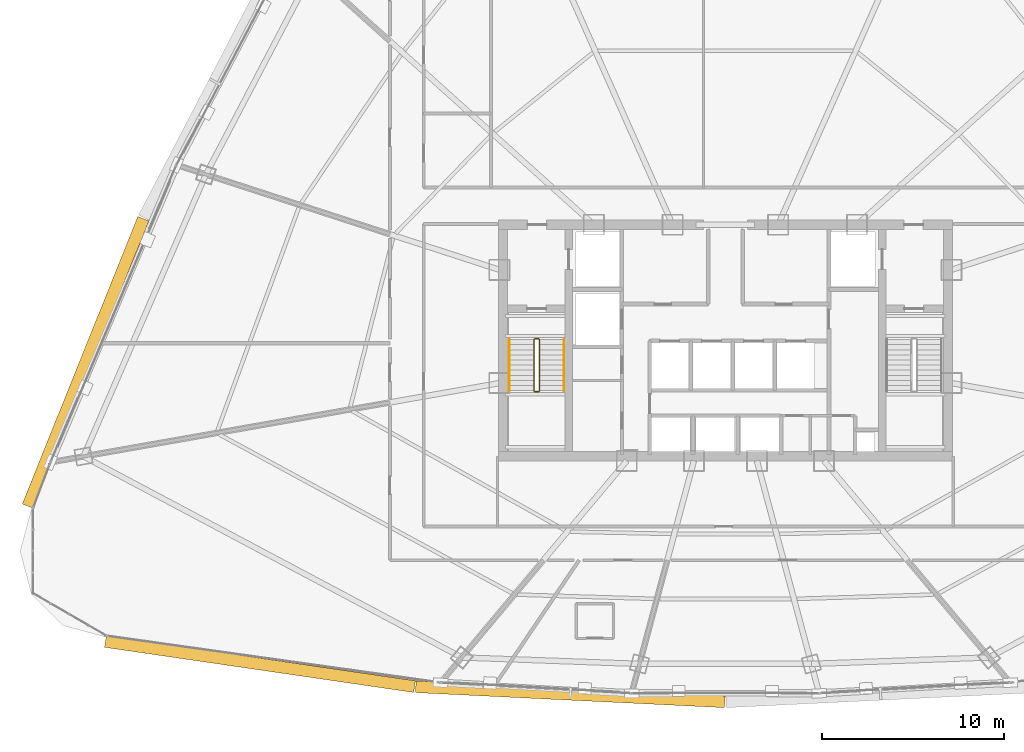
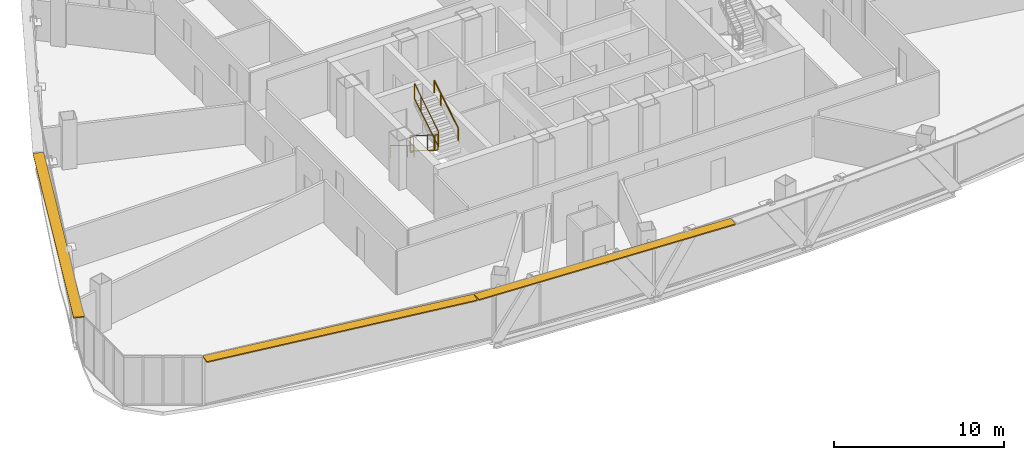
# One storey, part 34 of 37: 6 railings, 3 shading devices.
"""IFC4 building model written with IfcOpenShell, lengths in metres."""

from ifc_helpers import new_model, si_unit, direction, frame, origin, origin_2d, place, context, subcontext, project, spatial, rectangle, extrude, source, transform, mapped, material, layer, layer_set, type_object, element, save


model = new_model("IFC4")

# Units and contexts
model_context = context("Model", 3, precision=1e-05, world=origin(), true_north=direction((0.0, 1.0)))
body_context = subcontext(model_context, "Body", "Model", "MODEL_VIEW")
ifc_project = project(units=[si_unit("LENGTHUNIT", "METRE"), si_unit("AREAUNIT", "SQUARE_METRE"), si_unit("VOLUMEUNIT", "CUBIC_METRE"), si_unit("PLANEANGLEUNIT", "RADIAN"), si_unit("MASSUNIT", "GRAM", prefix="KILO"), si_unit("THERMODYNAMICTEMPERATUREUNIT", "KELVIN"), si_unit("POWERUNIT", "WATT")], contexts=[model_context])

# Site, building, storey
site_placement = place(None, origin())
site = spatial("IfcSite", under=ifc_project, at=site_placement, CompositionType="ELEMENT")
building_placement = place(site_placement, origin())
building = spatial("IfcBuilding", under=site, at=building_placement, Name="Yunzhuo Pagoda Commons", CompositionType="ELEMENT")
storey_placement = place(building_placement, frame((0.0, 0.0, 207.56005859375)))
storey = spatial("IfcBuildingStorey", under=building, at=storey_placement, Name="L52", CompositionType="ELEMENT", Elevation=207.56005859375)

# Railings
ifc_material = material(Name="Anodized aluminium 6063-T6", Category="aluminium")
railing_type_1 = type_object("IfcRailingType", Name="GR-ST1 Stair Well Guardrail 1150", PredefinedType="GUARDRAIL", material=ifc_material)
railing_1_placement = place(storey_placement, frame((37.5, 33.89990234375, 0.172607421875)))
element("IfcRailing", 1, at=railing_1_placement, inside=storey, type_object=railing_type_1, Name="L52 ST1 stair guard 1", PredefinedType="GUARDRAIL", context=body_context, shape_type="SweptSolid", body=[
    extrude(rectangle(XDim=0.048095703125, YDim=0.048095703125, at=origin_2d()), frame((0.0, 0.0, 1.1259765625), z_axis=(0.0, -0.851069175582, 0.525053576669), x_axis=(1.0, 0.0, 0.0)), (0.0, 0.0, 1.0), 3.289794921875),
    extrude(rectangle(XDim=0.048095703125, YDim=0.048095703125, at=origin_2d()), frame((0.0, 0.0, 0.02392578125), z_axis=(0.0, -0.851069175582, 0.525053576669), x_axis=(1.0, 0.0, 0.0)), (0.0, 0.0, 1.0), 3.289794921875),
    extrude(rectangle(XDim=0.0419921875, YDim=0.0419921875, at=origin_2d()), origin(), (0.0, 0.0, 1.0), 1.101806640625),
    extrude(rectangle(XDim=0.0419921875, YDim=0.0419921875, at=origin_2d()), frame((0.0, -2.04248046875, 1.260009765625)), (0.0, 0.0, 1.0), 1.101806640625),
    extrude(rectangle(XDim=0.0419921875, YDim=0.0419921875, at=origin_2d()), frame((0.0, -2.7998046875, 1.727294921875)), (0.0, 0.0, 1.0), 1.101806640625),
])
railing_2_placement = place(storey_placement, frame((37.550048828125, 31.050048828125, 1.89990234375)))
element("IfcRailing", 2, at=railing_2_placement, inside=storey, type_object=railing_type_1, Name="L52 ST1 stair guard 2", PredefinedType="GUARDRAIL", context=body_context, shape_type="SweptSolid", body=[
    extrude(rectangle(XDim=0.048095703125, YDim=0.048095703125, at=origin_2d()), frame((0.0, 0.0, 1.1259765625), z_axis=(1.0, 0.0, 0.0), x_axis=(0.0, 1.0, 0.0)), (0.0, 0.0, 1.0), 0.199951171875),
    extrude(rectangle(XDim=0.048095703125, YDim=0.048095703125, at=origin_2d()), frame((0.0, 0.0, 0.02392578125), z_axis=(1.0, 0.0, 0.0), x_axis=(0.0, 1.0, 0.0)), (0.0, 0.0, 1.0), 0.199951171875),
    extrude(rectangle(XDim=0.0419921875, YDim=0.0419921875, at=origin_2d()), origin(), (0.0, 0.0, 1.0), 1.101806640625),
    extrude(rectangle(XDim=0.0419921875, YDim=0.0419921875, at=origin_2d()), frame((0.199951171875, 0.0, 0.0)), (0.0, 0.0, 1.0), 1.101806640625),
])
railing_3_placement = place(storey_placement, frame((37.800048828125, 31.10009765625, 2.07275390625)))
element("IfcRailing", 3, at=railing_3_placement, inside=storey, type_object=railing_type_1, Name="L52 ST1 stair guard 3", PredefinedType="GUARDRAIL", context=body_context, shape_type="SweptSolid", body=[
    extrude(rectangle(XDim=0.048095703125, YDim=0.048095703125, at=origin_2d()), frame((0.0, 0.0, 1.1259765625), z_axis=(0.0, 0.851069175582, 0.525053576669), x_axis=(-1.0, 0.0, 0.0)), (0.0, 0.0, 1.0), 3.289794921875),
    extrude(rectangle(XDim=0.048095703125, YDim=0.048095703125, at=origin_2d()), frame((0.0, 0.0, 0.02392578125), z_axis=(0.0, 0.851069175582, 0.525053576669), x_axis=(-1.0, 0.0, 0.0)), (0.0, 0.0, 1.0), 3.289794921875),
    extrude(rectangle(XDim=0.0419921875, YDim=0.0419921875, at=origin_2d()), origin(), (0.0, 0.0, 1.0), 1.101806640625),
    extrude(rectangle(XDim=0.0419921875, YDim=0.0419921875, at=origin_2d()), frame((0.0, 2.04248046875, 1.260009765625)), (0.0, 0.0, 1.0), 1.101806640625),
    extrude(rectangle(XDim=0.0419921875, YDim=0.0419921875, at=origin_2d()), frame((0.0, 2.7998046875, 1.727294921875)), (0.0, 0.0, 1.0), 1.101806640625),
])
railing_4_placement = place(storey_placement, frame((37.550048828125, 33.949951171875, 0.0)))
element("IfcRailing", 4, at=railing_4_placement, inside=storey, type_object=railing_type_1, Name="L52 ST1 stair guard 4", PredefinedType="GUARDRAIL", context=body_context, shape_type="SweptSolid", body=[
    extrude(rectangle(XDim=0.048095703125, YDim=0.048095703125, at=origin_2d()), frame((0.0, 0.0, 1.1259765625), z_axis=(1.0, 0.0, 0.0), x_axis=(0.0, 1.0, 0.0)), (0.0, 0.0, 1.0), 0.199951171875),
    extrude(rectangle(XDim=0.048095703125, YDim=0.048095703125, at=origin_2d()), frame((0.0, 0.0, 0.02392578125), z_axis=(1.0, 0.0, 0.0), x_axis=(0.0, 1.0, 0.0)), (0.0, 0.0, 1.0), 0.199951171875),
    extrude(rectangle(XDim=0.0419921875, YDim=0.0419921875, at=origin_2d()), origin(), (0.0, 0.0, 1.0), 1.101806640625),
    extrude(rectangle(XDim=0.0419921875, YDim=0.0419921875, at=origin_2d()), frame((0.199951171875, 0.0, 0.0)), (0.0, 0.0, 1.0), 1.101806640625),
])
railing_type_2 = type_object("IfcRailingType", Name="HR-ST1 Stair Handrail 900", PredefinedType="HANDRAIL", material=ifc_material)
railing_5_placement = place(storey_placement, frame((36.14990234375, 33.89990234375, 0.172607421875)))
element("IfcRailing", 5, at=railing_5_placement, inside=storey, type_object=railing_type_2, Name="L52 ST1 stair handrail 1", PredefinedType="HANDRAIL", context=body_context, shape_type="SweptSolid", body=[
    extrude(rectangle(XDim=0.048095703125, YDim=0.048095703125, at=origin_2d()), frame((0.0, 0.0, 0.8759765625), z_axis=(0.0, -0.851069175582, 0.525053576669), x_axis=(1.0, 0.0, 0.0)), (0.0, 0.0, 1.0), 3.289794921875),
    extrude(rectangle(XDim=0.0419921875, YDim=0.0419921875, at=origin_2d()), origin(), (0.0, 0.0, 1.0), 0.851806640625),
    extrude(rectangle(XDim=0.0419921875, YDim=0.0419921875, at=origin_2d()), frame((0.0, -2.04248046875, 1.260009765625)), (0.0, 0.0, 1.0), 0.851806640625),
    extrude(rectangle(XDim=0.0419921875, YDim=0.0419921875, at=origin_2d()), frame((0.0, -2.7998046875, 1.727294921875)), (0.0, 0.0, 1.0), 0.851806640625),
])
railing_6_placement = place(storey_placement, frame((39.14990234375, 31.10009765625, 2.07275390625)))
element("IfcRailing", 6, at=railing_6_placement, inside=storey, type_object=railing_type_2, Name="L52 ST1 stair handrail 2", PredefinedType="HANDRAIL", context=body_context, shape_type="SweptSolid", body=[
    extrude(rectangle(XDim=0.048095703125, YDim=0.048095703125, at=origin_2d()), frame((0.0, 0.0, 0.8759765625), z_axis=(0.0, 0.851069175582, 0.525053576669), x_axis=(-1.0, 0.0, 0.0)), (0.0, 0.0, 1.0), 3.289794921875),
    extrude(rectangle(XDim=0.0419921875, YDim=0.0419921875, at=origin_2d()), origin(), (0.0, 0.0, 1.0), 0.851806640625),
    extrude(rectangle(XDim=0.0419921875, YDim=0.0419921875, at=origin_2d()), frame((0.0, 2.04248046875, 1.260009765625)), (0.0, 0.0, 1.0), 0.851806640625),
    extrude(rectangle(XDim=0.0419921875, YDim=0.0419921875, at=origin_2d()), frame((0.0, 2.7998046875, 1.727294921875)), (0.0, 0.0, 1.0), 0.851806640625),
])

# Shading devices
ifc_layer = layer(ifc_material, 0.080078125)
ifc_layer_set = layer_set([ifc_layer], Name="Anodized aluminium 6063-T6")
shading_device_type = type_object("IfcShadingDeviceType", Name="SH-SUN1 Pagoda Horizontal Sunshade Eave 650", PredefinedType="USERDEFINED", material=ifc_layer_set)
shared_shape_1 = source(origin(), body_context, "Body", "SweptSolid", [
    extrude(rectangle(XDim=17.13525390625, YDim=0.64990234375, at=origin_2d()), origin(), (0.0, 0.0, 1.0), 0.080078125),
])
shading_device_1_placement = place(storey_placement, frame((22.472412109375, 16.1044921875, 3.4599609375), z_axis=(0.0, 0.0, 1.0), x_axis=(0.989510666697, -0.144459823108, 0.0)))
element("IfcShadingDevice", 7, at=shading_device_1_placement, inside=storey, type_object=shading_device_type, Name="L52 horizontal pagoda sunshade eave F1.1", ObjectType="SUNSHADE", PredefinedType="USERDEFINED", context=body_context, shape_type="MappedRepresentation", body=[
    mapped(shared_shape_1, transform((0.0, 0.0, 0.0), scale=1.0)),
])
shared_shape_2 = source(origin(), body_context, "Body", "SweptSolid", [
    extrude(rectangle(XDim=16.975341796875, YDim=0.64990234375, at=origin_2d()), origin(), (0.0, 0.0, 1.0), 0.080078125),
])
shading_device_2_placement = place(storey_placement, frame((39.49072265625, 14.4482421875, 3.4599609375), z_axis=(0.0, 0.0, 1.0), x_axis=(0.998818043775, -0.04860571396, 0.0)))
element("IfcShadingDevice", 8, at=shading_device_2_placement, inside=storey, type_object=shading_device_type, Name="L52 horizontal pagoda sunshade eave F1.2", ObjectType="SUNSHADE", PredefinedType="USERDEFINED", context=body_context, shape_type="MappedRepresentation", body=[
    mapped(shared_shape_2, transform((0.0, 0.0, 0.0), scale=1.0)),
])
shared_shape_3 = source(origin(), body_context, "Body", "SweptSolid", [
    extrude(rectangle(XDim=16.99755859375, YDim=0.64990234375, at=origin_2d()), origin(), (0.0, 0.0, 1.0), 0.080078125),
])
shading_device_3_placement = place(storey_placement, frame((12.904541015625, 32.646728515625, 3.4599609375), z_axis=(0.0, 0.0, 1.0), x_axis=(-0.372987782576, -0.927836253899, 0.0)))
element("IfcShadingDevice", 9, at=shading_device_3_placement, inside=storey, type_object=shading_device_type, Name="L52 horizontal pagoda sunshade eave F3.4", ObjectType="SUNSHADE", PredefinedType="USERDEFINED", context=body_context, shape_type="MappedRepresentation", body=[
    mapped(shared_shape_3, transform((0.0, 0.0, 0.0), scale=1.0)),
])

save(model, "model.ifc")
